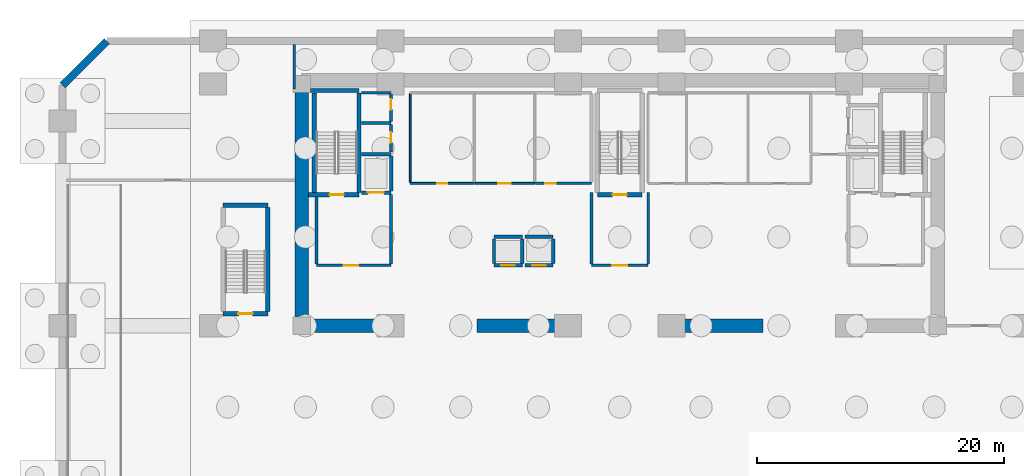
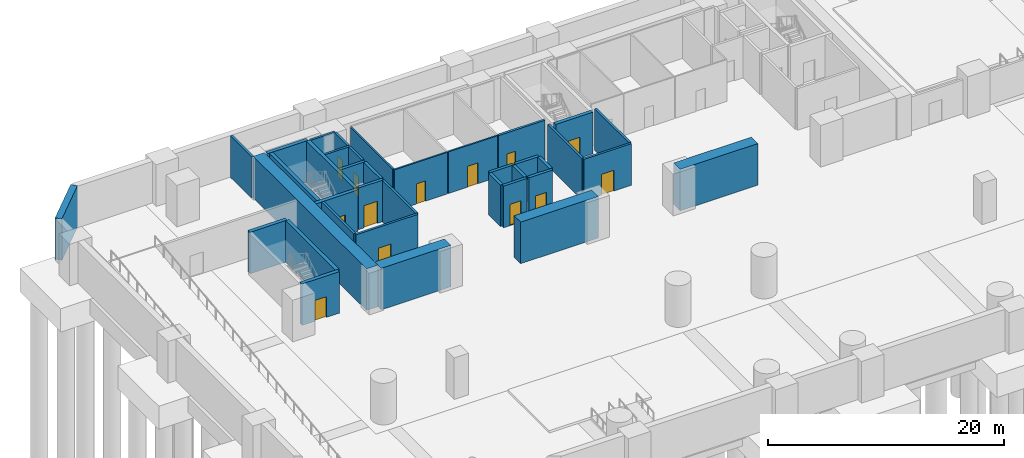
# One storey, part 3 of 10: 38 walls, 13 doors, 13 openings.
"""IFC4 building model written with IfcOpenShell, lengths in metres."""

from ifc_helpers import new_model, si_unit, direction, frame, frame_2d, origin, place, context, subcontext, project, spatial, rectangle, extrude, material, layer, layer_set, type_object, element, fill, save


model = new_model("IFC4")

# Units and contexts
model_context = context("Model", 3, precision=1e-05, world=origin(), true_north=direction((0.0, 1.0)))
body_context = subcontext(model_context, "Body", "Model", "MODEL_VIEW")
ifc_project = project(units=[si_unit("LENGTHUNIT", "METRE"), si_unit("AREAUNIT", "SQUARE_METRE"), si_unit("VOLUMEUNIT", "CUBIC_METRE"), si_unit("PLANEANGLEUNIT", "RADIAN"), si_unit("MASSUNIT", "GRAM", prefix="KILO")], contexts=[model_context])

# Site, building, storey
site_placement = place(None, origin())
site = spatial("IfcSite", under=ifc_project, at=site_placement, CompositionType="ELEMENT")
building_placement = place(site_placement, origin())
building = spatial("IfcBuilding", under=site, at=building_placement, Name="Kaelvorn Grand Hotel", CompositionType="ELEMENT")
storey_placement = place(building_placement, frame((0.0, 0.0, -9.199951171875)))
storey = spatial("IfcBuildingStorey", under=building, at=storey_placement, Name="B02", CompositionType="ELEMENT", Elevation=-9.199951171875)

# Walls
ifc_material_1 = material(Name="Concrete C80/95", Category="concrete")
ifc_layer_1 = layer(ifc_material_1, 1.10009765625)
ifc_layer_set_1 = layer_set([ifc_layer_1], Name="Concrete C80/95")
wall_type_1 = type_object("IfcWallType", Name="WL-CORE-1100-C80", PredefinedType="SHEAR", material=ifc_layer_set_1)
wall_1_placement = place(storey_placement, frame((16.199951171875, 29.39990234375, 0.0), z_axis=(0.0, 0.0, 1.0), x_axis=(0.0, 1.0, 0.0)))
element("IfcWall", 1, at=wall_1_placement, inside=storey, type_object=wall_type_1, Name="B02 Rear-Core West Shear Wall", PredefinedType="SHEAR", context=body_context, shape_type="SweptSolid", body=[
    extrude(rectangle(XDim=19.2001953125, YDim=1.10009765625, at=frame_2d((9.60009765625, 0.0))), origin(), (0.0, 0.0, 1.0), 4.300048828125),
])
wall_2_placement = place(storey_placement, frame((16.7548828125, 29.39990234375, 0.0), z_axis=(0.0, 0.0, 1.0), x_axis=(1.0, 0.0, 0.0)))
element("IfcWall", 2, at=wall_2_placement, inside=storey, type_object=wall_type_1, Name="B02 Rear-Core Coupled Shear Pier S1", PredefinedType="SHEAR", context=body_context, shape_type="SweptSolid", body=[
    extrude(rectangle(XDim=6.84521484375, YDim=1.10009765625, at=frame_2d((3.422607421875, 0.0))), origin(), (0.0, 0.0, 1.0), 4.300048828125),
])
for number, where, z_axis, x_axis, name in (
    (3, (30.39990234375, 29.39990234375, 0.0), (0.0, 0.0, 1.0), (1.0, 0.0, 0.0), "B02 Rear-Core Coupled Shear Pier S2"),
    (4, (46.0, 29.39990234375, 0.0), (0.0, 0.0, 1.0), (1.0, 0.0, 0.0), "B02 Rear-Core Coupled Shear Pier S3"),
):
    element("IfcWall", number, at=place(storey_placement, frame(where, z_axis=z_axis, x_axis=x_axis)), inside=storey, type_object=wall_type_1, Name=name, PredefinedType="SHEAR", context=body_context, shape_type="SweptSolid", body=[
        extrude(rectangle(XDim=7.60009765625, YDim=1.10009765625, at=frame_2d((3.800048828125, 0.0))), origin(), (0.0, 0.0, 1.0), 4.300048828125),
    ])

# Wall, opening, door
ifc_material_2 = material(Name="Acoustic Gypsum & Stud Partition")
ifc_layer_2 = layer(ifc_material_2, 0.14990234375)
ifc_layer_set_2 = layer_set([ifc_layer_2], Name="Acoustic Gypsum & Stud Partition")
wall_type_2 = type_object("IfcWallType", Name="WL-PART-150-EI60", PredefinedType="PARTITIONING", material=ifc_layer_set_2)
wall_3_placement = place(storey_placement, frame((25.0, 40.949951171875, 0.0), z_axis=(0.0, 0.0, 1.0), x_axis=(1.0, 0.0, 0.0)))
wall_3 = element("IfcWall", 5, at=wall_3_placement, inside=storey, type_object=wall_type_2, Name="B02 Central Janitor & Linen Store S Partition", PredefinedType="PARTITIONING", context=body_context, shape_type="SweptSolid", body=[
    extrude(rectangle(XDim=5.199951171875, YDim=0.14990234375, at=frame_2d((2.60009765625, 0.0))), origin(), (0.0, 0.0, 1.0), 4.300048828125),
])
opening_1_placement = place(wall_3_placement, frame((2.175048828125, 0.0, 0.0)))
opening_1 = element("IfcOpeningElement", 6, at=opening_1_placement, cuts=wall_3, Name="Opening DI7", PredefinedType="OPENING", context=body_context, shape_type="SweptSolid", body=[
    extrude(rectangle(XDim=0.85009765625, YDim=2.10009765625, at=frame_2d((0.425048828125, 1.050048828125))), frame((0.0, 0.0849609375, 0.0), z_axis=(0.0, -1.0, 0.0), x_axis=(1.0, 0.0, 0.0)), (0.0, 0.0, 1.0), 0.169921875),
])
ifc_material_3 = material(Name="Powder-Coated Steel Leaf", Category="steel")
door_type_1 = type_object("IfcDoorType", Name="DR-INT-RISER-850x2100", OperationType="NOTDEFINED", PredefinedType="DOOR", material=ifc_material_3)
door_1_placement = place(opening_1_placement, origin())
door_1 = element("IfcDoor", 7, at=door_1_placement, inside=storey, type_object=door_type_1, Name="B02 Central Janitor & Linen Store Door", OperationType="SINGLE_SWING_RIGHT", OverallHeight=2.10009765625, OverallWidth=0.85009765625, PredefinedType="DOOR", context=body_context, shape_type="SweptSolid", body=[
    extrude(rectangle(XDim=0.85009765625, YDim=2.10009765625, at=frame_2d((0.425048828125, 1.050048828125))), frame((0.0, 0.02490234375, 0.0), z_axis=(0.0, -1.0, 0.0), x_axis=(1.0, 0.0, 0.0)), (0.0, 0.0, 1.0), 0.050048828125),
])
fill(opening_1, door_1)

# Wall
wall_4_placement = place(storey_placement, frame((25.0, 41.030029296875, 0.0), z_axis=(0.0, 0.0, 1.0), x_axis=(0.0, 1.0, 0.0)))
element("IfcWall", 8, at=wall_4_placement, inside=storey, type_object=wall_type_2, Name="B02 Central Janitor & Linen Store W Partition", PredefinedType="PARTITIONING", context=body_context, shape_type="SweptSolid", body=[
    extrude(rectangle(XDim=7.18994140625, YDim=0.14990234375, at=frame_2d((3.594970703125, 0.0))), origin(), (0.0, 0.0, 1.0), 4.300048828125),
])

# Wall, opening, door
wall_5_placement = place(storey_placement, frame((30.280029296875, 40.949951171875, 0.0), z_axis=(0.0, 0.0, 1.0), x_axis=(1.0, 0.0, 0.0)))
wall_5 = element("IfcWall", 9, at=wall_5_placement, inside=storey, type_object=wall_type_2, Name="B02 Room Service Servery Pantry S Partition", PredefinedType="PARTITIONING", context=body_context, shape_type="SweptSolid", body=[
    extrude(rectangle(XDim=4.820068359375, YDim=0.14990234375, at=frame_2d((2.41015625, 0.0))), origin(), (0.0, 0.0, 1.0), 4.300048828125),
])
opening_2_placement = place(wall_5_placement, frame((1.8701171875, 0.0, 0.0)))
opening_2 = element("IfcOpeningElement", 10, at=opening_2_placement, cuts=wall_5, Name="Opening DI3", PredefinedType="OPENING", context=body_context, shape_type="SweptSolid", body=[
    extrude(rectangle(XDim=1.0, YDim=2.14990234375, at=frame_2d((0.5, 1.074951171875))), frame((0.0, 0.0849609375, 0.0), z_axis=(0.0, -1.0, 0.0), x_axis=(1.0, 0.0, 0.0)), (0.0, 0.0, 1.0), 0.169921875),
])
ifc_material_4 = material(Name="Timber Veneer Fire Leaf", Category="wood")
door_type_2 = type_object("IfcDoorType", Name="DR-INT-GUEST-1000x2150", OperationType="NOTDEFINED", PredefinedType="DOOR", material=ifc_material_4)
door_2_placement = place(opening_2_placement, origin())
door_2 = element("IfcDoor", 11, at=door_2_placement, inside=storey, type_object=door_type_2, Name="B02 Room Service Servery Pantry Door", OperationType="SINGLE_SWING_LEFT", OverallHeight=2.14990234375, OverallWidth=1.0, PredefinedType="DOOR", context=body_context, shape_type="SweptSolid", body=[
    extrude(rectangle(XDim=1.0, YDim=2.14990234375, at=frame_2d((0.5, 1.074951171875))), frame((0.0, 0.02490234375, 0.0), z_axis=(0.0, -1.0, 0.0), x_axis=(1.0, 0.0, 0.0)), (0.0, 0.0, 1.0), 0.050048828125),
])
fill(opening_2, door_2)

ifc_material_5 = material(Name="Concrete C40/50", Category="concrete")
ifc_layer_3 = layer(ifc_material_5, 0.219970703125)
ifc_layer_set_3 = layer_set([ifc_layer_3], Name="Concrete C40/50")
wall_type_3 = type_object("IfcWallType", Name="WL-PART-220-EI120", PredefinedType="PARTITIONING", material=ifc_layer_set_3)
wall_6_placement = place(storey_placement, frame((17.39990234375, 34.300048828125, 0.0), z_axis=(0.0, 0.0, 1.0), x_axis=(1.0, 0.0, 0.0)))
wall_6 = element("IfcWall", 12, at=wall_6_placement, inside=storey, type_object=wall_type_3, Name="B02 Firefighting Lift Lobby 1 S Partition", PredefinedType="PARTITIONING", context=body_context, shape_type="SweptSolid", body=[
    extrude(rectangle(XDim=6.050048828125, YDim=0.219970703125, at=frame_2d((3.02490234375, 0.0))), origin(), (0.0, 0.0, 1.0), 4.300048828125),
])
opening_3_placement = place(wall_6_placement, frame((2.199951171875, 0.0, 0.0)))
opening_3 = element("IfcOpeningElement", 13, at=opening_3_placement, cuts=wall_6, Name="Opening DI2", PredefinedType="OPENING", context=body_context, shape_type="SweptSolid", body=[
    extrude(rectangle(XDim=1.199951171875, YDim=2.14990234375, at=frame_2d((0.60009765625, 1.074951171875))), frame((0.0, 0.1201171875, 0.0), z_axis=(0.0, -1.0, 0.0), x_axis=(1.0, 0.0, 0.0)), (0.0, 0.0, 1.0), 0.239990234375),
])
door_type_3 = type_object("IfcDoorType", Name="DR-INT-FFLOB-1200x2150", OperationType="NOTDEFINED", PredefinedType="DOOR", material=ifc_material_4)
door_3_placement = place(opening_3_placement, origin())
door_3 = element("IfcDoor", 14, at=door_3_placement, inside=storey, type_object=door_type_3, Name="B02 Firefighting Lift Lobby 1 Door", OperationType="SINGLE_SWING_RIGHT", OverallHeight=2.14990234375, OverallWidth=1.199951171875, PredefinedType="DOOR", context=body_context, shape_type="SweptSolid", body=[
    extrude(rectangle(XDim=1.199951171875, YDim=2.14990234375, at=frame_2d((0.60009765625, 1.074951171875))), frame((0.0, 0.02490234375, 0.0), z_axis=(0.0, -1.0, 0.0), x_axis=(1.0, 0.0, 0.0)), (0.0, 0.0, 1.0), 0.050048828125),
])
fill(opening_3, door_3)

# Walls
wall_7_placement = place(storey_placement, frame((17.39990234375, 34.4150390625, 0.0), z_axis=(0.0, 0.0, 1.0), x_axis=(0.0, 1.0, 0.0)))
element("IfcWall", 15, at=wall_7_placement, inside=storey, type_object=wall_type_3, Name="B02 Firefighting Lift Lobby 1 W Partition", PredefinedType="PARTITIONING", context=body_context, shape_type="SweptSolid", body=[
    extrude(rectangle(XDim=5.429931640625, YDim=0.219970703125, at=frame_2d((2.71484375, 0.0))), origin(), (0.0, 0.0, 1.0), 4.300048828125),
])
wall_8_placement = place(storey_placement, frame((23.449951171875, 34.4150390625, 0.0), z_axis=(0.0, 0.0, 1.0), x_axis=(0.0, 1.0, 0.0)))
element("IfcWall", 16, at=wall_8_placement, inside=storey, type_object=wall_type_3, Name="B02 Firefighting Lift Lobby 1 E Partition", PredefinedType="PARTITIONING", context=body_context, shape_type="SweptSolid", body=[
    extrude(rectangle(XDim=5.639892578125, YDim=0.219970703125, at=frame_2d((2.81982421875, 0.0))), origin(), (0.0, 0.0, 1.0), 4.300048828125),
])

# Wall, opening, door
wall_9_placement = place(storey_placement, frame((39.699951171875, 34.300048828125, 0.0), z_axis=(0.0, 0.0, 1.0), x_axis=(1.0, 0.0, 0.0)))
wall_9 = element("IfcWall", 17, at=wall_9_placement, inside=storey, type_object=wall_type_3, Name="B02 Central Stair Escape Vestibule S Partition", PredefinedType="PARTITIONING", context=body_context, shape_type="SweptSolid", body=[
    extrude(rectangle(XDim=4.60009765625, YDim=0.219970703125, at=frame_2d((2.300048828125, 0.0))), origin(), (0.0, 0.0, 1.0), 4.300048828125),
])
opening_4_placement = place(wall_9_placement, frame((1.699951171875, 0.0, 0.0)))
opening_4 = element("IfcOpeningElement", 18, at=opening_4_placement, cuts=wall_9, Name="Opening DI2", PredefinedType="OPENING", context=body_context, shape_type="SweptSolid", body=[
    extrude(rectangle(XDim=1.199951171875, YDim=2.14990234375, at=frame_2d((0.60009765625, 1.074951171875))), frame((0.0, 0.1201171875, 0.0), z_axis=(0.0, -1.0, 0.0), x_axis=(1.0, 0.0, 0.0)), (0.0, 0.0, 1.0), 0.239990234375),
])
door_4_placement = place(opening_4_placement, origin())
door_4 = element("IfcDoor", 19, at=door_4_placement, inside=storey, type_object=door_type_3, Name="B02 Central Stair Escape Vestibule Door", OperationType="SINGLE_SWING_RIGHT", OverallHeight=2.14990234375, OverallWidth=1.199951171875, PredefinedType="DOOR", context=body_context, shape_type="SweptSolid", body=[
    extrude(rectangle(XDim=1.199951171875, YDim=2.14990234375, at=frame_2d((0.60009765625, 1.074951171875))), frame((0.0, 0.02490234375, 0.0), z_axis=(0.0, -1.0, 0.0), x_axis=(1.0, 0.0, 0.0)), (0.0, 0.0, 1.0), 0.050048828125),
])
fill(opening_4, door_4)

# Walls
for number, where, z_axis, x_axis, name in (
    (20, (39.699951171875, 34.4150390625, 0.0), (0.0, 0.0, 1.0), (0.0, 1.0, 0.0), "B02 Central Stair Escape Vestibule W Partition"),
    (21, (44.300048828125, 34.4150390625, 0.0), (0.0, 0.0, 1.0), (0.0, 1.0, 0.0), "B02 Central Stair Escape Vestibule E Partition"),
):
    element("IfcWall", number, at=place(storey_placement, frame(where, z_axis=z_axis, x_axis=x_axis)), inside=storey, type_object=wall_type_3, Name=name, PredefinedType="PARTITIONING", context=body_context, shape_type="SweptSolid", body=[
        extrude(rectangle(XDim=5.784912109375, YDim=0.219970703125, at=frame_2d((2.892578125, 0.0))), origin(), (0.0, 0.0, 1.0), 4.300048828125),
    ])
wall_10_placement = place(storey_placement, frame((21.034912109375, 45.85009765625, 0.0), z_axis=(0.0, 0.0, 1.0), x_axis=(1.0, 0.0, 0.0)))
element("IfcWall", 22, at=wall_10_placement, inside=storey, type_object=wall_type_3, Name="B02 Wet Fire & Plumbing Riser Shaft N Partition", PredefinedType="PARTITIONING", context=body_context, shape_type="SweptSolid", body=[
    extrude(rectangle(XDim=2.4150390625, YDim=0.219970703125, at=frame_2d((1.20751953125, 0.0))), origin(), (0.0, 0.0, 1.0), 4.300048828125),
])

# Wall, opening, door
wall_11_placement = place(storey_placement, frame((23.449951171875, 43.5, 0.0), z_axis=(0.0, 0.0, 1.0), x_axis=(0.0, 1.0, 0.0)))
wall_11 = element("IfcWall", 23, at=wall_11_placement, inside=storey, type_object=wall_type_3, Name="B02 Wet Fire & Plumbing Riser Shaft E Partition", PredefinedType="PARTITIONING", context=body_context, shape_type="SweptSolid", body=[
    extrude(rectangle(XDim=2.235107421875, YDim=0.219970703125, at=frame_2d((1.11767578125, 0.0))), origin(), (0.0, 0.0, 1.0), 4.300048828125),
])
opening_5_placement = place(wall_11_placement, frame((0.72509765625, 0.0, 0.0)))
opening_5 = element("IfcOpeningElement", 24, at=opening_5_placement, cuts=wall_11, Name="Opening DI7", PredefinedType="OPENING", context=body_context, shape_type="SweptSolid", body=[
    extrude(rectangle(XDim=0.85009765625, YDim=2.10009765625, at=frame_2d((0.425048828125, 1.050048828125))), frame((0.0, 0.1201171875, 0.0), z_axis=(0.0, -1.0, 0.0), x_axis=(1.0, 0.0, 0.0)), (0.0, 0.0, 1.0), 0.239990234375),
])
door_5_placement = place(opening_5_placement, origin())
door_5 = element("IfcDoor", 25, at=door_5_placement, inside=storey, type_object=door_type_1, Name="B02 Wet Fire & Plumbing Riser Shaft Door", OperationType="SINGLE_SWING_RIGHT", OverallHeight=2.10009765625, OverallWidth=0.85009765625, PredefinedType="DOOR", context=body_context, shape_type="SweptSolid", body=[
    extrude(rectangle(XDim=0.85009765625, YDim=2.10009765625, at=frame_2d((0.425048828125, 1.050048828125))), frame((0.0, 0.02490234375, 0.0), z_axis=(0.0, -1.0, 0.0), x_axis=(1.0, 0.0, 0.0)), (0.0, 0.0, 1.0), 0.050048828125),
])
fill(opening_5, door_5)

# Wall
wall_12_placement = place(storey_placement, frame((21.034912109375, 48.300048828125, 0.0), z_axis=(0.0, 0.0, 1.0), x_axis=(1.0, 0.0, 0.0)))
element("IfcWall", 26, at=wall_12_placement, inside=storey, type_object=wall_type_3, Name="B02 HV Electrical & Smoke Riser N Partition", PredefinedType="PARTITIONING", context=body_context, shape_type="SweptSolid", body=[
    extrude(rectangle(XDim=2.4150390625, YDim=0.219970703125, at=frame_2d((1.20751953125, 0.0))), origin(), (0.0, 0.0, 1.0), 4.300048828125),
])

# Wall, opening, door
wall_13_placement = place(storey_placement, frame((23.449951171875, 45.965087890625, 0.0), z_axis=(0.0, 0.0, 1.0), x_axis=(0.0, 1.0, 0.0)))
wall_13 = element("IfcWall", 27, at=wall_13_placement, inside=storey, type_object=wall_type_3, Name="B02 HV Electrical & Smoke Riser E Partition", PredefinedType="PARTITIONING", context=body_context, shape_type="SweptSolid", body=[
    extrude(rectangle(XDim=2.219970703125, YDim=0.219970703125, at=frame_2d((1.10986328125, 0.0))), origin(), (0.0, 0.0, 1.0), 4.300048828125),
])
opening_6_placement = place(wall_13_placement, frame((0.9599609375, 0.0, 0.0)))
opening_6 = element("IfcOpeningElement", 28, at=opening_6_placement, cuts=wall_13, Name="Opening DI7", PredefinedType="OPENING", context=body_context, shape_type="SweptSolid", body=[
    extrude(rectangle(XDim=0.85009765625, YDim=2.10009765625, at=frame_2d((0.425048828125, 1.050048828125))), frame((0.0, 0.1201171875, 0.0), z_axis=(0.0, -1.0, 0.0), x_axis=(1.0, 0.0, 0.0)), (0.0, 0.0, 1.0), 0.239990234375),
])
door_6_placement = place(opening_6_placement, origin())
door_6 = element("IfcDoor", 29, at=door_6_placement, inside=storey, type_object=door_type_1, Name="B02 HV Electrical & Smoke Riser Door", OperationType="SINGLE_SWING_LEFT", OverallHeight=2.10009765625, OverallWidth=0.85009765625, PredefinedType="DOOR", context=body_context, shape_type="SweptSolid", body=[
    extrude(rectangle(XDim=0.85009765625, YDim=2.10009765625, at=frame_2d((0.425048828125, 1.050048828125))), frame((0.0, 0.02490234375, 0.0), z_axis=(0.0, -1.0, 0.0), x_axis=(1.0, 0.0, 0.0)), (0.0, 0.0, 1.0), 0.050048828125),
])
fill(opening_6, door_6)

wall_14_placement = place(storey_placement, frame((35.179931640625, 40.949951171875, 0.0), z_axis=(0.0, 0.0, 1.0), x_axis=(1.0, 0.0, 0.0)))
wall_14 = element("IfcWall", 30, at=wall_14_placement, inside=storey, type_object=wall_type_3, Name="B02 Floor Electrical Switchroom S Partition", PredefinedType="PARTITIONING", context=body_context, shape_type="SweptSolid", body=[
    extrude(rectangle(XDim=4.52001953125, YDim=0.219970703125, at=frame_2d((2.260009765625, 0.0))), origin(), (0.0, 0.0, 1.0), 4.300048828125),
])
opening_7_placement = place(wall_14_placement, frame((0.794921875, 0.0, 0.0)))
opening_7 = element("IfcOpeningElement", 31, at=opening_7_placement, cuts=wall_14, Name="Opening DI7", PredefinedType="OPENING", context=body_context, shape_type="SweptSolid", body=[
    extrude(rectangle(XDim=0.85009765625, YDim=2.10009765625, at=frame_2d((0.425048828125, 1.050048828125))), frame((0.0, 0.1201171875, 0.0), z_axis=(0.0, -1.0, 0.0), x_axis=(1.0, 0.0, 0.0)), (0.0, 0.0, 1.0), 0.239990234375),
])
door_7_placement = place(opening_7_placement, origin())
door_7 = element("IfcDoor", 32, at=door_7_placement, inside=storey, type_object=door_type_1, Name="B02 Floor Electrical Switchroom Door", OperationType="SINGLE_SWING_RIGHT", OverallHeight=2.10009765625, OverallWidth=0.85009765625, PredefinedType="DOOR", context=body_context, shape_type="SweptSolid", body=[
    extrude(rectangle(XDim=0.85009765625, YDim=2.10009765625, at=frame_2d((0.425048828125, 1.050048828125))), frame((0.0, 0.02490234375, 0.0), z_axis=(0.0, -1.0, 0.0), x_axis=(1.0, 0.0, 0.0)), (0.0, 0.0, 1.0), 0.050048828125),
])
fill(opening_7, door_7)

# Walls
wall_15_placement = place(storey_placement, frame((15.60009765625, 48.610107421875, 0.0), z_axis=(0.0, 0.0, 1.0), x_axis=(0.0, 1.0, 0.0)))
element("IfcWall", 33, at=wall_15_placement, inside=storey, type_object=wall_type_3, Name="B02 Domestic & Fire Reserve Water Tank & Pump Room E Partition", PredefinedType="PARTITIONING", context=body_context, shape_type="SweptSolid", body=[
    extrude(rectangle(XDim=3.5849609375, YDim=0.219970703125, at=frame_2d((1.79248046875, 0.0))), origin(), (0.0, 0.0, 1.0), 4.300048828125),
])
ifc_material_6 = material(Name="Concrete C50/60", Category="concrete")
ifc_layer_4 = layer(ifc_material_6, 0.60009765625)
ifc_layer_set_4 = layer_set([ifc_layer_4], Name="Concrete C50/60")
wall_type_4 = type_object("IfcWallType", Name="WL-RET-600-C50", PredefinedType="USERDEFINED", material=ifc_layer_set_4)
wall_16_placement = place(storey_placement, frame((0.39990234375, 52.5, 0.0), z_axis=(0.0, 0.0, 1.0), x_axis=(-0.707082803744, -0.707130757816, 0.0)))
element("IfcWall", 34, at=wall_16_placement, inside=storey, type_object=wall_type_4, Name="B02 Perimeter Tanked Retaining Wall 06", ObjectType="RETAININGWALL", PredefinedType="USERDEFINED", context=body_context, shape_type="SweptSolid", body=[
    extrude(rectangle(XDim=5.091064453125, YDim=0.60009765625, at=frame_2d((2.54541015625, 0.0))), origin(), (0.0, 0.0, 1.0), 4.300048828125),
])

# Wall, opening, door
ifc_layer_5 = layer(ifc_material_6, 0.280029296875)
ifc_layer_set_5 = layer_set([ifc_layer_5], Name="Concrete C50/60")
wall_type_5 = type_object("IfcWallType", Name="WL-SHAFT-280-C50", PredefinedType="SHEAR", material=ifc_layer_set_5)
wall_17_placement = place(storey_placement, frame((31.800048828125, 34.300048828125, 0.0), z_axis=(0.0, 0.0, 1.0), x_axis=(1.0, 0.0, 0.0)))
wall_17 = element("IfcWall", 35, at=wall_17_placement, inside=storey, type_object=wall_type_5, Name="B02 Lift PK-1 Shaft South Wall", PredefinedType="SHEAR", context=body_context, shape_type="SweptSolid", body=[
    extrude(rectangle(XDim=2.300048828125, YDim=0.280029296875, at=frame_2d((1.14990234375, 0.0))), origin(), (0.0, 0.0, 1.0), 4.300048828125),
])
opening_8_placement = place(wall_17_placement, frame((0.60009765625, 0.0, 0.0)))
opening_8 = element("IfcOpeningElement", 36, at=opening_8_placement, cuts=wall_17, Name="Opening LD-PK-1", PredefinedType="OPENING", context=body_context, shape_type="SweptSolid", body=[
    extrude(rectangle(XDim=1.10009765625, YDim=2.199951171875, at=frame_2d((0.550048828125, 1.10009765625))), frame((0.0, 0.14990234375, 0.0), z_axis=(0.0, -1.0, 0.0), x_axis=(1.0, 0.0, 0.0)), (0.0, 0.0, 1.0), 0.300048828125),
])
ifc_material_7 = material(Name="Stainless Steel", Category="steel")
door_type_4 = type_object("IfcDoorType", Name="DR-LIFT-PASS-1100x2200", OperationType="DOUBLE_DOOR_SLIDING", PredefinedType="DOOR", material=ifc_material_7)
door_8_placement = place(opening_8_placement, origin())
door_8 = element("IfcDoor", 37, at=door_8_placement, inside=storey, type_object=door_type_4, Name="B02 Lift PK-1 Sliding Landing Door LD-PK-1", OperationType="DOUBLE_DOOR_SLIDING", OverallHeight=2.199951171875, OverallWidth=1.10009765625, PredefinedType="DOOR", context=body_context, shape_type="SweptSolid", body=[
    extrude(rectangle(XDim=1.10009765625, YDim=2.199951171875, at=frame_2d((0.550048828125, 1.10009765625))), frame((0.0, 0.02490234375, 0.0), z_axis=(0.0, -1.0, 0.0), x_axis=(1.0, 0.0, 0.0)), (0.0, 0.0, 1.0), 0.050048828125),
])
fill(opening_8, door_8)

# Walls
wall_18_placement = place(storey_placement, frame((31.800048828125, 36.60009765625, 0.0), z_axis=(0.0, 0.0, 1.0), x_axis=(1.0, 0.0, 0.0)))
element("IfcWall", 38, at=wall_18_placement, inside=storey, type_object=wall_type_5, Name="B02 Lift PK-1 Shaft North Wall", PredefinedType="SHEAR", context=body_context, shape_type="SweptSolid", body=[
    extrude(rectangle(XDim=2.300048828125, YDim=0.280029296875, at=frame_2d((1.14990234375, 0.0))), origin(), (0.0, 0.0, 1.0), 4.300048828125),
])
for number, where, z_axis, x_axis, name in (
    (39, (31.800048828125, 34.445068359375, 0.0), (0.0, 0.0, 1.0), (0.0, 1.0, 0.0), "B02 Lift PK-1 Shaft West Wall"),
    (40, (34.10009765625, 34.445068359375, 0.0), (0.0, 0.0, 1.0), (0.0, 1.0, 0.0), "B02 Lift PK-1 Shaft East Wall"),
):
    element("IfcWall", number, at=place(storey_placement, frame(where, z_axis=z_axis, x_axis=x_axis)), inside=storey, type_object=wall_type_5, Name=name, PredefinedType="SHEAR", context=body_context, shape_type="SweptSolid", body=[
        extrude(rectangle(XDim=2.010009765625, YDim=0.280029296875, at=frame_2d((1.0048828125, 0.0))), origin(), (0.0, 0.0, 1.0), 4.300048828125),
    ])

# Wall, opening, door
wall_19_placement = place(storey_placement, frame((34.300048828125, 34.300048828125, 0.0), z_axis=(0.0, 0.0, 1.0), x_axis=(1.0, 0.0, 0.0)))
wall_19 = element("IfcWall", 41, at=wall_19_placement, inside=storey, type_object=wall_type_5, Name="B02 Lift PK-2 Shaft South Wall", PredefinedType="SHEAR", context=body_context, shape_type="SweptSolid", body=[
    extrude(rectangle(XDim=2.300048828125, YDim=0.280029296875, at=frame_2d((1.14990234375, 0.0))), origin(), (0.0, 0.0, 1.0), 4.300048828125),
])
opening_9_placement = place(wall_19_placement, frame((0.60009765625, 0.0, 0.0)))
opening_9 = element("IfcOpeningElement", 42, at=opening_9_placement, cuts=wall_19, Name="Opening LD-PK-2", PredefinedType="OPENING", context=body_context, shape_type="SweptSolid", body=[
    extrude(rectangle(XDim=1.10009765625, YDim=2.199951171875, at=frame_2d((0.550048828125, 1.10009765625))), frame((0.0, 0.14990234375, 0.0), z_axis=(0.0, -1.0, 0.0), x_axis=(1.0, 0.0, 0.0)), (0.0, 0.0, 1.0), 0.300048828125),
])
door_9_placement = place(opening_9_placement, origin())
door_9 = element("IfcDoor", 43, at=door_9_placement, inside=storey, type_object=door_type_4, Name="B02 Lift PK-2 Sliding Landing Door LD-PK-2", OperationType="DOUBLE_DOOR_SLIDING", OverallHeight=2.199951171875, OverallWidth=1.10009765625, PredefinedType="DOOR", context=body_context, shape_type="SweptSolid", body=[
    extrude(rectangle(XDim=1.10009765625, YDim=2.199951171875, at=frame_2d((0.550048828125, 1.10009765625))), frame((0.0, 0.02490234375, 0.0), z_axis=(0.0, -1.0, 0.0), x_axis=(1.0, 0.0, 0.0)), (0.0, 0.0, 1.0), 0.050048828125),
])
fill(opening_9, door_9)

# Walls
wall_20_placement = place(storey_placement, frame((34.300048828125, 36.60009765625, 0.0), z_axis=(0.0, 0.0, 1.0), x_axis=(1.0, 0.0, 0.0)))
element("IfcWall", 44, at=wall_20_placement, inside=storey, type_object=wall_type_5, Name="B02 Lift PK-2 Shaft North Wall", PredefinedType="SHEAR", context=body_context, shape_type="SweptSolid", body=[
    extrude(rectangle(XDim=2.300048828125, YDim=0.280029296875, at=frame_2d((1.14990234375, 0.0))), origin(), (0.0, 0.0, 1.0), 4.300048828125),
])
wall_21_placement = place(storey_placement, frame((36.60009765625, 34.445068359375, 0.0), z_axis=(0.0, 0.0, 1.0), x_axis=(0.0, 1.0, 0.0)))
element("IfcWall", 45, at=wall_21_placement, inside=storey, type_object=wall_type_5, Name="B02 Lift PK-2 Shaft East Wall", PredefinedType="SHEAR", context=body_context, shape_type="SweptSolid", body=[
    extrude(rectangle(XDim=2.010009765625, YDim=0.280029296875, at=frame_2d((1.0048828125, 0.0))), origin(), (0.0, 0.0, 1.0), 4.300048828125),
])

# Wall, opening, door
wall_22_placement = place(storey_placement, frame((21.034912109375, 40.199951171875, 0.0), z_axis=(0.0, 0.0, 1.0), x_axis=(1.0, 0.0, 0.0)))
wall_22 = element("IfcWall", 46, at=wall_22_placement, inside=storey, type_object=wall_type_5, Name="B02 Lift FFL1 Shaft South Wall", PredefinedType="SHEAR", context=body_context, shape_type="SweptSolid", body=[
    extrude(rectangle(XDim=2.4150390625, YDim=0.280029296875, at=frame_2d((1.20751953125, 0.0))), origin(), (0.0, 0.0, 1.0), 4.300048828125),
])
opening_10_placement = place(wall_22_placement, frame((0.5400390625, 0.0, 0.0)))
opening_10 = element("IfcOpeningElement", 47, at=opening_10_placement, cuts=wall_22, Name="Opening LD-FFL1", PredefinedType="OPENING", context=body_context, shape_type="SweptSolid", body=[
    extrude(rectangle(XDim=1.300048828125, YDim=2.300048828125, at=frame_2d((0.64990234375, 1.14990234375))), frame((0.0, 0.14990234375, 0.0), z_axis=(0.0, -1.0, 0.0), x_axis=(1.0, 0.0, 0.0)), (0.0, 0.0, 1.0), 0.300048828125),
])
door_type_5 = type_object("IfcDoorType", Name="DR-LIFT-SERV-1300x2300", OperationType="DOUBLE_DOOR_SLIDING", PredefinedType="DOOR", material=ifc_material_7)
door_10_placement = place(opening_10_placement, origin())
door_10 = element("IfcDoor", 48, at=door_10_placement, inside=storey, type_object=door_type_5, Name="B02 Lift FFL1 Sliding Landing Door LD-FFL1", OperationType="DOUBLE_DOOR_SLIDING", OverallHeight=2.300048828125, OverallWidth=1.300048828125, PredefinedType="DOOR", context=body_context, shape_type="SweptSolid", body=[
    extrude(rectangle(XDim=1.300048828125, YDim=2.300048828125, at=frame_2d((0.64990234375, 1.14990234375))), frame((0.0, 0.02490234375, 0.0), z_axis=(0.0, -1.0, 0.0), x_axis=(1.0, 0.0, 0.0)), (0.0, 0.0, 1.0), 0.050048828125),
])
fill(opening_10, door_10)

# Walls
wall_23_placement = place(storey_placement, frame((21.034912109375, 43.300048828125, 0.0), z_axis=(0.0, 0.0, 1.0), x_axis=(1.0, 0.0, 0.0)))
element("IfcWall", 49, at=wall_23_placement, inside=storey, type_object=wall_type_5, Name="B02 Lift FFL1 Shaft North Wall", PredefinedType="SHEAR", context=body_context, shape_type="SweptSolid", body=[
    extrude(rectangle(XDim=2.4150390625, YDim=0.280029296875, at=frame_2d((1.20751953125, 0.0))), origin(), (0.0, 0.0, 1.0), 4.300048828125),
])
wall_24_placement = place(storey_placement, frame((23.449951171875, 40.344970703125, 0.0), z_axis=(0.0, 0.0, 1.0), x_axis=(0.0, 1.0, 0.0)))
element("IfcWall", 50, at=wall_24_placement, inside=storey, type_object=wall_type_5, Name="B02 Lift FFL1 Shaft East Wall", PredefinedType="SHEAR", context=body_context, shape_type="SweptSolid", body=[
    extrude(rectangle(XDim=2.81005859375, YDim=0.280029296875, at=frame_2d((1.405029296875, 0.0))), origin(), (0.0, 0.0, 1.0), 4.300048828125),
])

# Wall, opening, door
ifc_material_8 = material(Name="Concrete C60/75", Category="concrete")
ifc_layer_6 = layer(ifc_material_8, 0.35009765625)
ifc_layer_set_6 = layer_set([ifc_layer_6], Name="Concrete C60/75")
wall_type_6 = type_object("IfcWallType", Name="WL-SHAFT-350-C60", PredefinedType="SHEAR", material=ifc_layer_set_6)
wall_25_placement = place(storey_placement, frame((16.7548828125, 40.02490234375, 0.0), z_axis=(0.0, 0.0, 1.0), x_axis=(1.0, 0.0, 0.0)))
wall_25 = element("IfcWall", 51, at=wall_25_placement, inside=storey, type_object=wall_type_6, Name="B02 ST1 Stair Shaft South Wall", PredefinedType="SHEAR", context=body_context, shape_type="SweptSolid", body=[
    extrude(rectangle(XDim=4.10009765625, YDim=0.35009765625, at=frame_2d((2.050048828125, 0.0))), origin(), (0.0, 0.0, 1.0), 4.300048828125),
])
opening_11_placement = place(wall_25_placement, frame((1.7099609375, 0.0, 0.0)))
opening_11 = element("IfcOpeningElement", 52, at=opening_11_placement, cuts=wall_25, Name="Opening DI1", PredefinedType="OPENING", context=body_context, shape_type="SweptSolid", body=[
    extrude(rectangle(XDim=1.14990234375, YDim=2.14990234375, at=frame_2d((0.574951171875, 1.074951171875))), frame((0.0, 0.18505859375, 0.0), z_axis=(0.0, -1.0, 0.0), x_axis=(1.0, 0.0, 0.0)), (0.0, 0.0, 1.0), 0.3701171875),
])
door_type_6 = type_object("IfcDoorType", Name="DR-INT-STAIR-1150x2150", OperationType="NOTDEFINED", PredefinedType="DOOR", material=ifc_material_4)
door_11_placement = place(opening_11_placement, origin())
door_11 = element("IfcDoor", 53, at=door_11_placement, inside=storey, type_object=door_type_6, Name="B02 ST1 Exit Stair Fire Door", OperationType="SINGLE_SWING_RIGHT", OverallHeight=2.14990234375, OverallWidth=1.14990234375, PredefinedType="DOOR", context=body_context, shape_type="SweptSolid", body=[
    extrude(rectangle(XDim=1.14990234375, YDim=2.14990234375, at=frame_2d((0.574951171875, 1.074951171875))), frame((0.0, 0.02490234375, 0.0), z_axis=(0.0, -1.0, 0.0), x_axis=(1.0, 0.0, 0.0)), (0.0, 0.0, 1.0), 0.050048828125),
])
fill(opening_11, door_11)

# Walls
wall_26_placement = place(storey_placement, frame((16.905029296875, 48.47509765625, 0.0), z_axis=(0.0, 0.0, 1.0), x_axis=(1.0, 0.0, 0.0)))
element("IfcWall", 54, at=wall_26_placement, inside=storey, type_object=wall_type_6, Name="B02 ST1 Stair Shaft North Wall", PredefinedType="SHEAR", context=body_context, shape_type="SweptSolid", body=[
    extrude(rectangle(XDim=3.949951171875, YDim=0.35009765625, at=frame_2d((1.97509765625, 0.0))), origin(), (0.0, 0.0, 1.0), 4.300048828125),
])
for number, where, z_axis, x_axis, name in (
    (55, (17.22509765625, 40.205078125, 0.0), (0.0, 0.0, 1.0), (0.0, 1.0, 0.0), "B02 ST1 Stair Shaft West Wall"),
    (56, (20.85498046875, 40.205078125, 0.0), (0.0, 0.0, 1.0), (0.0, 1.0, 0.0), "B02 ST1 Stair Shaft East Wall"),
):
    element("IfcWall", number, at=place(storey_placement, frame(where, z_axis=z_axis, x_axis=x_axis)), inside=storey, type_object=wall_type_6, Name=name, PredefinedType="SHEAR", context=body_context, shape_type="SweptSolid", body=[
        extrude(rectangle(XDim=8.08984375, YDim=0.35009765625, at=frame_2d((4.044921875, 0.0))), origin(), (0.0, 0.0, 1.0), 4.300048828125),
    ])

# Wall, opening, door
wall_27_placement = place(storey_placement, frame((40.18505859375, 40.02490234375, 0.0), z_axis=(0.0, 0.0, 1.0), x_axis=(1.0, 0.0, 0.0)))
wall_27 = element("IfcWall", 57, at=wall_27_placement, inside=storey, type_object=wall_type_6, Name="B02 ST2 Stair Shaft South Wall", PredefinedType="SHEAR", context=body_context, shape_type="SweptSolid", body=[
    extrude(rectangle(XDim=3.6298828125, YDim=0.35009765625, at=frame_2d((1.81494140625, 0.0))), origin(), (0.0, 0.0, 1.0), 4.300048828125),
])
opening_12_placement = place(wall_27_placement, frame((1.239990234375, 0.0, 0.0)))
opening_12 = element("IfcOpeningElement", 58, at=opening_12_placement, cuts=wall_27, Name="Opening DI1", PredefinedType="OPENING", context=body_context, shape_type="SweptSolid", body=[
    extrude(rectangle(XDim=1.14990234375, YDim=2.14990234375, at=frame_2d((0.574951171875, 1.074951171875))), frame((0.0, 0.18505859375, 0.0), z_axis=(0.0, -1.0, 0.0), x_axis=(1.0, 0.0, 0.0)), (0.0, 0.0, 1.0), 0.3701171875),
])
door_12_placement = place(opening_12_placement, origin())
door_12 = element("IfcDoor", 59, at=door_12_placement, inside=storey, type_object=door_type_6, Name="B02 ST2 Exit Stair Fire Door", OperationType="SINGLE_SWING_LEFT", OverallHeight=2.14990234375, OverallWidth=1.14990234375, PredefinedType="DOOR", context=body_context, shape_type="SweptSolid", body=[
    extrude(rectangle(XDim=1.14990234375, YDim=2.14990234375, at=frame_2d((0.574951171875, 1.074951171875))), frame((0.0, 0.02490234375, 0.0), z_axis=(0.0, -1.0, 0.0), x_axis=(1.0, 0.0, 0.0)), (0.0, 0.0, 1.0), 0.050048828125),
])
fill(opening_12, door_12)

wall_28_placement = place(storey_placement, frame((9.824951171875, 30.375, 0.0), z_axis=(0.0, 0.0, 1.0), x_axis=(1.0, 0.0, 0.0)))
wall_28 = element("IfcWall", 60, at=wall_28_placement, inside=storey, type_object=wall_type_6, Name="B02 ST4 Stair Shaft South Wall", PredefinedType="SHEAR", context=body_context, shape_type="SweptSolid", body=[
    extrude(rectangle(XDim=3.630126953125, YDim=0.35009765625, at=frame_2d((1.81494140625, 0.0))), origin(), (0.0, 0.0, 1.0), 4.300048828125),
])
opening_13_placement = place(wall_28_placement, frame((1.239990234375, 0.0, 0.0)))
opening_13 = element("IfcOpeningElement", 61, at=opening_13_placement, cuts=wall_28, Name="Opening DI1", PredefinedType="OPENING", context=body_context, shape_type="SweptSolid", body=[
    extrude(rectangle(XDim=1.14990234375, YDim=2.14990234375, at=frame_2d((0.574951171875, 1.074951171875))), frame((0.0, 0.18505859375, 0.0), z_axis=(0.0, -1.0, 0.0), x_axis=(1.0, 0.0, 0.0)), (0.0, 0.0, 1.0), 0.3701171875),
])
door_13_placement = place(opening_13_placement, origin())
door_13 = element("IfcDoor", 62, at=door_13_placement, inside=storey, type_object=door_type_6, Name="B02 ST4 Exit Stair Fire Door", OperationType="SINGLE_SWING_LEFT", OverallHeight=2.14990234375, OverallWidth=1.14990234375, PredefinedType="DOOR", context=body_context, shape_type="SweptSolid", body=[
    extrude(rectangle(XDim=1.14990234375, YDim=2.14990234375, at=frame_2d((0.574951171875, 1.074951171875))), frame((0.0, 0.02490234375, 0.0), z_axis=(0.0, -1.0, 0.0), x_axis=(1.0, 0.0, 0.0)), (0.0, 0.0, 1.0), 0.050048828125),
])
fill(opening_13, door_13)

# Walls
wall_29_placement = place(storey_placement, frame((9.824951171875, 39.175048828125, 0.0), z_axis=(0.0, 0.0, 1.0), x_axis=(1.0, 0.0, 0.0)))
element("IfcWall", 63, at=wall_29_placement, inside=storey, type_object=wall_type_6, Name="B02 ST4 Stair Shaft North Wall", PredefinedType="SHEAR", context=body_context, shape_type="SweptSolid", body=[
    extrude(rectangle(XDim=3.630126953125, YDim=0.35009765625, at=frame_2d((1.81494140625, 0.0))), origin(), (0.0, 0.0, 1.0), 4.300048828125),
])
wall_30_placement = place(storey_placement, frame((13.455078125, 30.554931640625, 0.0), z_axis=(0.0, 0.0, 1.0), x_axis=(0.0, 1.0, 0.0)))
element("IfcWall", 64, at=wall_30_placement, inside=storey, type_object=wall_type_6, Name="B02 ST4 Stair Shaft East Wall", PredefinedType="SHEAR", context=body_context, shape_type="SweptSolid", body=[
    extrude(rectangle(XDim=8.440185546875, YDim=0.35009765625, at=frame_2d((4.22021484375, 0.0))), origin(), (0.0, 0.0, 1.0), 4.300048828125),
])

save(model, "model.ifc")
